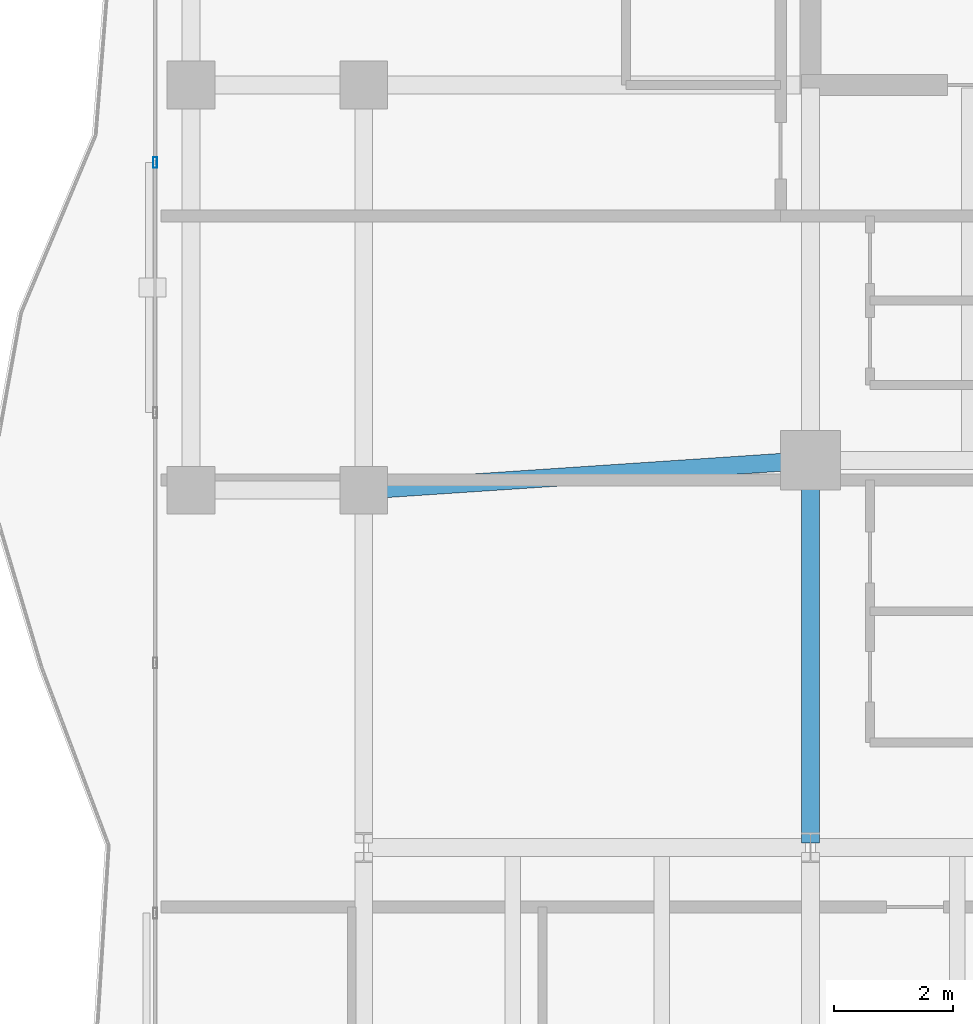
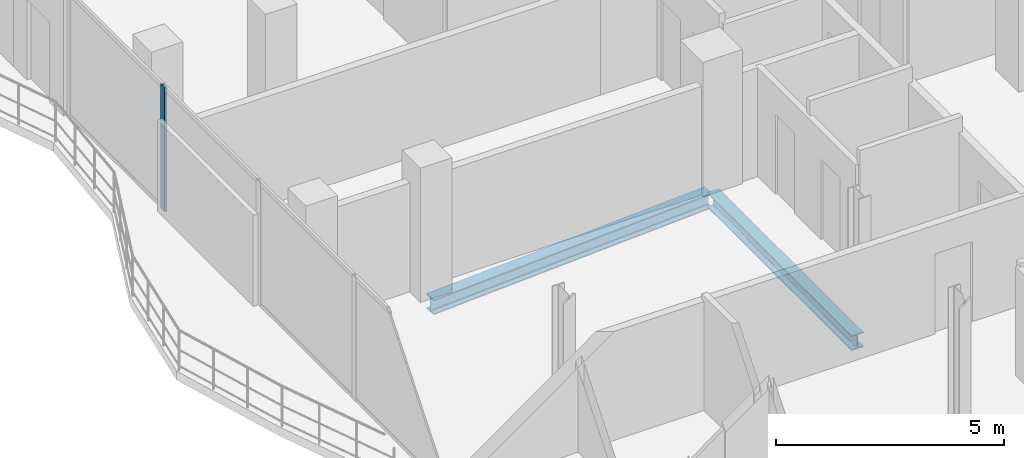
# One storey, part 8 of 23: 2 beams, 1 member, 1 element without a shape of its own.
"""IFC4 building model written with IfcOpenShell, lengths in metres."""

from ifc_helpers import new_model, si_unit, direction, frame, origin, origin_2d, place, context, subcontext, project, spatial, hollow_rectangle, i_section, extrude, material, layer, layer_set, material_profile, profile_set, type_object, element, aggregate, save


model = new_model("IFC4")

# Units and contexts
model_context = context("Model", 3, precision=1e-05, world=origin(), true_north=direction((0.0, 1.0)))
body_context = subcontext(model_context, "Body", "Model", "MODEL_VIEW")
ifc_project = project(units=[si_unit("LENGTHUNIT", "METRE"), si_unit("AREAUNIT", "SQUARE_METRE"), si_unit("VOLUMEUNIT", "CUBIC_METRE"), si_unit("PLANEANGLEUNIT", "RADIAN"), si_unit("MASSUNIT", "GRAM", prefix="KILO")], contexts=[model_context])

# Site, building, storey
site_placement = place(None, origin())
site = spatial("IfcSite", under=ifc_project, at=site_placement, CompositionType="ELEMENT")
building_placement = place(site_placement, origin())
building = spatial("IfcBuilding", under=site, at=building_placement, Name="Catumbela Crestline Tower", CompositionType="ELEMENT")
storey_placement = place(building_placement, frame((0.0, 0.0, 183.0)))
storey = spatial("IfcBuildingStorey", under=building, at=storey_placement, Name="L47", CompositionType="ELEMENT", Elevation=183.0)

# Beams
ifc_material_1 = material(Name="Structural steel S355J2", Category="steel")
ifc_material_profile_1 = material_profile(ifc_material_1, i_section(OverallWidth=0.3, OverallDepth=0.4, WebThickness=0.0135, FlangeThickness=0.024, FilletRadius=0.027, at=origin_2d()), Name="HEB 400")
ifc_profile_set_1 = profile_set([ifc_material_profile_1], Name="Structural steel S355J2")
beam_type = type_object("IfcBeamType", Name="BG-HEB400", PredefinedType="BEAM", material=ifc_profile_set_1)
beam_1_placement = place(storey_placement, frame((8.5798, 24.0053, -0.46), z_axis=(0.997784796964, 0.066524423687, 0.0), x_axis=(-0.066524423687, 0.997784796964, 0.0)))
element("IfcBeam", 1, at=beam_1_placement, inside=storey, type_object=beam_type, Name="L47 Beam BM-L47-S02", PredefinedType="BEAM", context=body_context, shape_type="SweptSolid", body=[
    extrude(i_section(OverallWidth=0.3, OverallDepth=0.4, WebThickness=0.0135, FlangeThickness=0.024, FilletRadius=0.027, at=origin_2d()), origin(), (0.0, 0.0, 1.0), 7.3567),
])
beam_2_placement = place(storey_placement, frame((16.0, 18.08, -0.46), z_axis=(0.0, 1.0, 0.0), x_axis=(-1.0, 0.0, 0.0)))
element("IfcBeam", 2, at=beam_2_placement, inside=storey, type_object=beam_type, Name="L47 Beam BM-L47-WNS42", PredefinedType="BEAM", context=body_context, shape_type="SweptSolid", body=[
    extrude(i_section(OverallWidth=0.3, OverallDepth=0.4, WebThickness=0.0135, FlangeThickness=0.024, FilletRadius=0.027, at=origin_2d()), origin(), (0.0, 0.0, 1.0), 6.34),
])

# Curtain wall, member
ifc_material_2 = material(Name="Aluminium alloy AW-6060-T66", Category="aluminium")
ifc_layer = layer(ifc_material_2, 0.18, Name="Aluminium alloy AW-6060-T66")
ifc_layer_set = layer_set([ifc_layer], Name="Aluminium alloy AW-6060-T66")
curtain_wall_type = type_object("IfcCurtainWallType", Name="CWU-Z3", PredefinedType="USERDEFINED", material=ifc_layer_set)
curtain_wall_placement = place(storey_placement, origin())
curtain_wall = element("IfcCurtainWall", 3, at=curtain_wall_placement, inside=storey, type_object=curtain_wall_type, Name="L47 Unitised Curtain Wall CW-L47-E9S2", ObjectType="UNITISED", PredefinedType="USERDEFINED")
ifc_material_profile_2 = material_profile(ifc_material_2, hollow_rectangle(XDim=0.065, YDim=0.18, WallThickness=0.004, at=origin_2d()), Name="ALU 180x65x4")
ifc_profile_set_2 = profile_set([ifc_material_profile_2], Name="Aluminium alloy AW-6060-T66")
member_type = type_object("IfcMemberType", Name="MUL-180X65", PredefinedType="MULLION", material=ifc_profile_set_2)
member_placement = place(storey_placement, frame((5.0, 29.5, 0.0), z_axis=(0.0, 0.0, 1.0), x_axis=(1.0, 0.0, 0.0)))
member = element("IfcMember", 4, at=member_placement, type_object=member_type, Name="CWU-Z3 mullion 2", PredefinedType="MULLION", context=body_context, shape_type="SweptSolid", body=[
    extrude(hollow_rectangle(XDim=0.065, YDim=0.18, WallThickness=0.004, at=origin_2d()), origin(), (0.0, 0.0, 1.0), 3.33),
])
aggregate(curtain_wall, [member])

save(model, "model.ifc")
